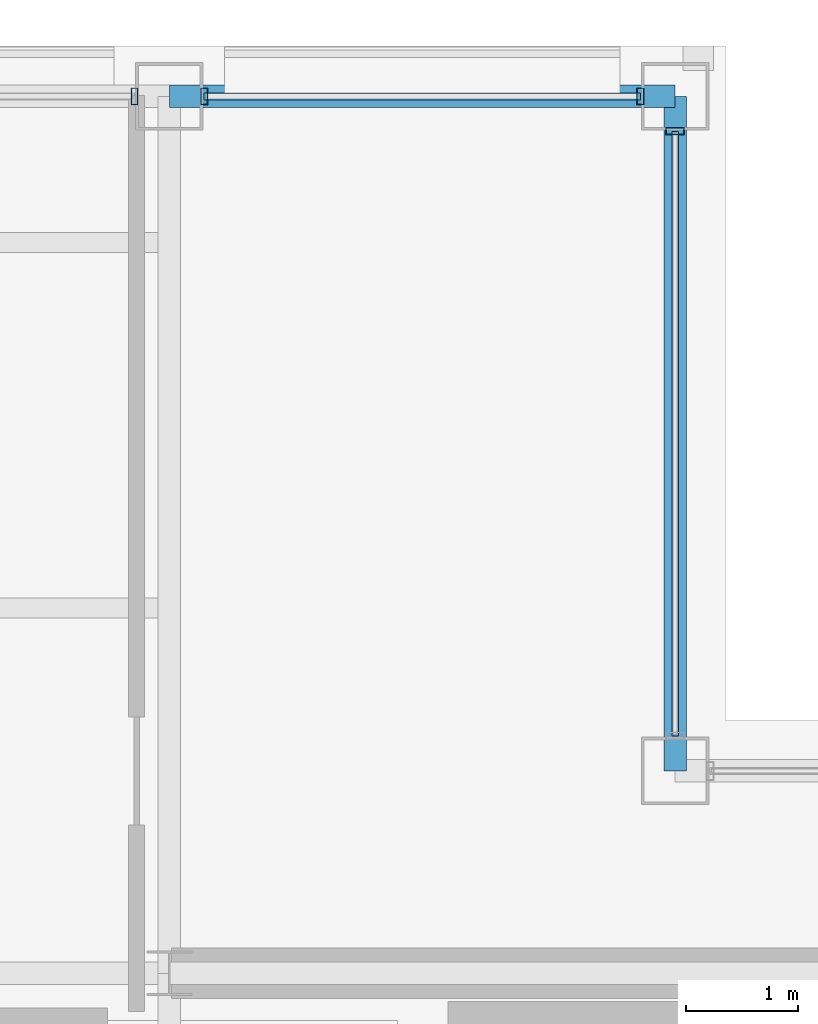
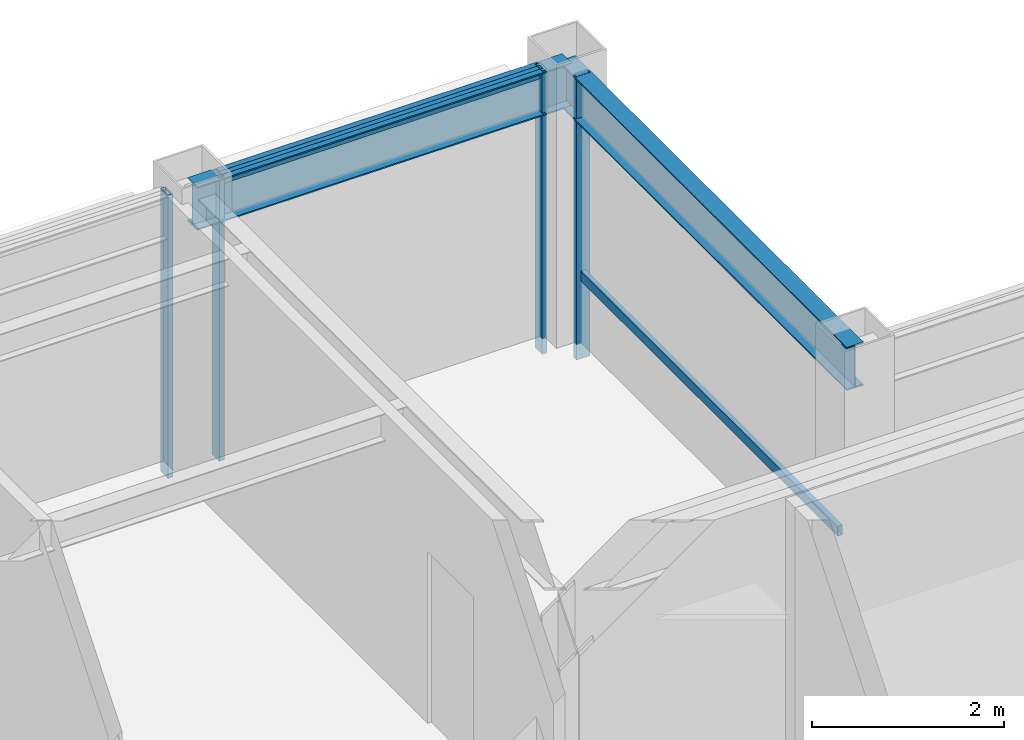
# One storey, part 21 of 28: 6 members, 2 beams, 3 elements without a shape of their own.
"""IFC4 building model written with IfcOpenShell, lengths in metres."""

from ifc_helpers import new_model, si_unit, direction, frame, origin, origin_2d, place, context, subcontext, project, spatial, hollow_rectangle, i_section, extrude, material, layer, layer_set, material_profile, profile_set, type_object, element, aggregate, save


model = new_model("IFC4")

# Units and contexts
model_context = context("Model", 3, precision=1e-05, world=origin(), true_north=direction((0.0, 1.0)))
body_context = subcontext(model_context, "Body", "Model", "MODEL_VIEW")
ifc_project = project(units=[si_unit("LENGTHUNIT", "METRE"), si_unit("AREAUNIT", "SQUARE_METRE"), si_unit("VOLUMEUNIT", "CUBIC_METRE"), si_unit("PLANEANGLEUNIT", "RADIAN"), si_unit("MASSUNIT", "GRAM", prefix="KILO")], contexts=[model_context])

# Site, building, storey
site_placement = place(None, origin())
site = spatial("IfcSite", under=ifc_project, at=site_placement, CompositionType="ELEMENT")
building_placement = place(site_placement, origin())
building = spatial("IfcBuilding", under=site, at=building_placement, Name="Brelmoor Portico Tower", CompositionType="ELEMENT")
storey_placement = place(building_placement, frame((0.0, 0.0, 265.199951171875)))
storey = spatial("IfcBuildingStorey", under=building, at=storey_placement, Name="L70", CompositionType="ELEMENT", Elevation=265.199951171875)

# Beams
ifc_material_1 = material(Name="Steel Q355B", Category="steel")
ifc_material_profile_1 = material_profile(ifc_material_1, i_section(OverallWidth=0.199951171875, OverallDepth=0.550048828125, WebThickness=0.010009765625, FlangeThickness=0.01611328125, at=origin_2d()), Name="HN 550x200x10x16")
ifc_profile_set_1 = profile_set([ifc_material_profile_1], Name="Steel Q355B")
beam_type = type_object("IfcBeamType", Name="BM-SP-550", PredefinedType="SPANDREL", material=ifc_profile_set_1)
beam_1_placement = place(storey_placement, frame((8.050048828125, 17.550048828125, 3.125), z_axis=(1.0, 0.0, 0.0), x_axis=(0.0, 1.0, 0.0)))
element("IfcBeam", 1, at=beam_1_placement, inside=storey, type_object=beam_type, Name="L70 Perimeter Spandrel Beam SP-10", PredefinedType="SPANDREL", context=body_context, shape_type="SweptSolid", body=[
    extrude(i_section(OverallWidth=0.199951171875, OverallDepth=0.550048828125, WebThickness=0.010009765625, FlangeThickness=0.01611328125, at=origin_2d()), origin(), (0.0, 0.0, 1.0), 4.5),
])
beam_2_placement = place(storey_placement, frame((12.550048828125, 11.550048828125, 3.125), z_axis=(0.0, 1.0, 0.0), x_axis=(-1.0, 0.0, 0.0)))
element("IfcBeam", 2, at=beam_2_placement, inside=storey, type_object=beam_type, Name="L70 Perimeter Spandrel Beam SP-17", PredefinedType="SPANDREL", context=body_context, shape_type="SweptSolid", body=[
    extrude(i_section(OverallWidth=0.199951171875, OverallDepth=0.550048828125, WebThickness=0.010009765625, FlangeThickness=0.01611328125, at=origin_2d()), origin(), (0.0, 0.0, 1.0), 6.0),
])

# Curtain wall, member
ifc_material_2 = material(Name="Anodised Aluminium Alloy 6063-T6", Category="aluminium")
ifc_layer_1 = layer(ifc_material_2, 0.179931640625)
ifc_layer_set_1 = layer_set([ifc_layer_1], Name="Anodised Aluminium Alloy 6063-T6")
curtain_wall_type_1 = type_object("IfcCurtainWallType", Name="CW-TOWER-Z4-XB", PredefinedType="NOTDEFINED", material=ifc_layer_set_1)
curtain_wall_1_placement = place(storey_placement, origin())
curtain_wall_1 = element("IfcCurtainWall", 3, at=curtain_wall_1_placement, inside=storey, type_object=curtain_wall_type_1, Name="L70 Curtain Wall CW-L70-02-2", PredefinedType="NOTDEFINED")
ifc_material_profile_2 = material_profile(ifc_material_2, hollow_rectangle(XDim=0.06005859375, YDim=0.14990234375, WallThickness=0.00390625, at=origin_2d()), Name="ALU MULLION 60x150")
ifc_profile_set_2 = profile_set([ifc_material_profile_2], Name="Anodised Aluminium Alloy 6063-T6")
member_type_1 = type_object("IfcMemberType", Name="MB-CW-MULL-150", PredefinedType="MULLION", material=ifc_profile_set_2)
member_1_placement = place(storey_placement, frame((7.739990234375, 17.550048828125, -0.199951171875), z_axis=(0.0, 0.0, 1.0), x_axis=(1.0, 0.0, 0.0)))
member_1 = element("IfcMember", 4, at=member_1_placement, type_object=member_type_1, Name="CW-L70-02-2 Mullion 01", PredefinedType="MULLION", context=body_context, shape_type="SweptSolid", body=[
    extrude(hollow_rectangle(XDim=0.06005859375, YDim=0.14990234375, WallThickness=0.00390625, at=origin_2d()), origin(), (0.0, 0.0, 1.0), 3.60009765625),
])
aggregate(curtain_wall_1, [member_1])

# Curtain wall, members
curtain_wall_2_placement = place(storey_placement, origin())
curtain_wall_2 = element("IfcCurtainWall", 5, at=curtain_wall_2_placement, inside=storey, type_object=curtain_wall_type_1, Name="L70 Curtain Wall CW-L70-02-3", PredefinedType="NOTDEFINED")
member_2_placement = place(storey_placement, frame((8.360107421875, 17.550048828125, -0.199951171875), z_axis=(0.0, 0.0, 1.0), x_axis=(1.0, 0.0, 0.0)))
member_2 = element("IfcMember", 6, at=member_2_placement, type_object=member_type_1, Name="CW-L70-02-3 Mullion 00", PredefinedType="MULLION", context=body_context, shape_type="SweptSolid", body=[
    extrude(hollow_rectangle(XDim=0.06005859375, YDim=0.14990234375, WallThickness=0.00390625, at=origin_2d()), origin(), (0.0, 0.0, 1.0), 3.60009765625),
])
member_3_placement = place(storey_placement, frame((12.239990234375, 17.550048828125, -0.199951171875), z_axis=(0.0, 0.0, 1.0), x_axis=(1.0, 0.0, 0.0)))
member_3 = element("IfcMember", 7, at=member_3_placement, type_object=member_type_1, Name="CW-L70-02-3 Mullion 01", PredefinedType="MULLION", context=body_context, shape_type="SweptSolid", body=[
    extrude(hollow_rectangle(XDim=0.06005859375, YDim=0.14990234375, WallThickness=0.00390625, at=origin_2d()), origin(), (0.0, 0.0, 1.0), 3.60009765625),
])

# Curtain wall, member
ifc_layer_2 = layer(ifc_material_2, 0.179931640625)
ifc_layer_set_2 = layer_set([ifc_layer_2], Name="Anodised Aluminium Alloy 6063-T6")
curtain_wall_type_2 = type_object("IfcCurtainWallType", Name="CW-NOTCH-CHAMFER", PredefinedType="NOTDEFINED", material=ifc_layer_set_2)
curtain_wall_3_placement = place(storey_placement, origin())
curtain_wall_3 = element("IfcCurtainWall", 8, at=curtain_wall_3_placement, inside=storey, type_object=curtain_wall_type_2, Name="L70 Curtain Wall CWN-L70-NEV", PredefinedType="NOTDEFINED")
ifc_material_profile_3 = material_profile(ifc_material_2, hollow_rectangle(XDim=0.06494140625, YDim=0.1650390625, WallThickness=0.00390625, at=origin_2d()), Name="ALU MULLION 65x165")
ifc_profile_set_3 = profile_set([ifc_material_profile_3], Name="Anodised Aluminium Alloy 6063-T6")
member_type_2 = type_object("IfcMemberType", Name="MB-CW-MULL-165", PredefinedType="MULLION", material=ifc_profile_set_3)
member_4_placement = place(storey_placement, frame((12.550048828125, 17.239990234375, -0.199951171875), z_axis=(0.0, 0.0, 1.0), x_axis=(0.0, 1.0, 0.0)))
member_4 = element("IfcMember", 9, at=member_4_placement, type_object=member_type_2, Name="CWN-L70-NEV Mullion 01", PredefinedType="MULLION", context=body_context, shape_type="SweptSolid", body=[
    extrude(hollow_rectangle(XDim=0.06494140625, YDim=0.1650390625, WallThickness=0.00390625, at=origin_2d()), origin(), (0.0, 0.0, 1.0), 3.60009765625),
])

# Member
ifc_material_profile_4 = material_profile(ifc_material_2, hollow_rectangle(XDim=0.06005859375, YDim=0.125, WallThickness=0.00341796875, at=origin_2d()), Name="ALU TRANSOM 60x125")
ifc_profile_set_4 = profile_set([ifc_material_profile_4], Name="Anodised Aluminium Alloy 6063-T6")
member_type_3 = type_object("IfcMemberType", Name="MB-CW-TRAN-125", PredefinedType="USERDEFINED", material=ifc_profile_set_4)
member_5_placement = place(storey_placement, frame((8.360107421875, 17.550048828125, 3.337646484375), z_axis=(1.0, 0.0, 0.0), x_axis=(0.0, 1.0, 0.0)))
member_5 = element("IfcMember", 10, at=member_5_placement, type_object=member_type_3, Name="CW-L70-02-3 Transom 1-00", ObjectType="TRANSOM", PredefinedType="USERDEFINED", context=body_context, shape_type="SweptSolid", body=[
    extrude(hollow_rectangle(XDim=0.06005859375, YDim=0.125, WallThickness=0.00341796875, at=origin_2d()), origin(), (0.0, 0.0, 1.0), 3.8798828125),
])

aggregate(curtain_wall_2, [member_2, member_3, member_5])

member_6_placement = place(storey_placement, frame((12.550048828125, 11.860107421875, 0.85009765625), z_axis=(0.0, 1.0, 0.0), x_axis=(-1.0, 0.0, 0.0)))
member_6 = element("IfcMember", 11, at=member_6_placement, type_object=member_type_3, Name="CWN-L70-NEV Transom 1-00", ObjectType="TRANSOM", PredefinedType="USERDEFINED", context=body_context, shape_type="SweptSolid", body=[
    extrude(hollow_rectangle(XDim=0.06005859375, YDim=0.125, WallThickness=0.00341796875, at=origin_2d()), origin(), (0.0, 0.0, 1.0), 5.3798828125),
])

aggregate(curtain_wall_3, [member_4, member_6])

save(model, "model.ifc")
